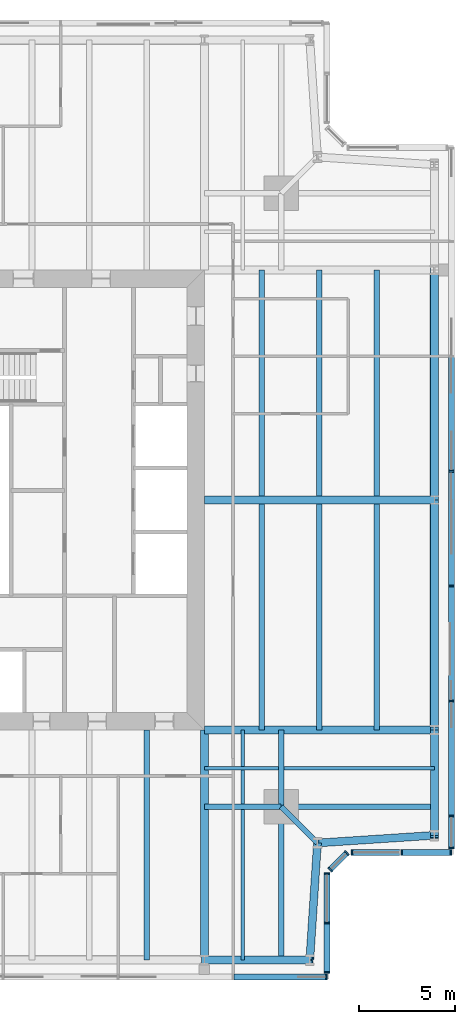
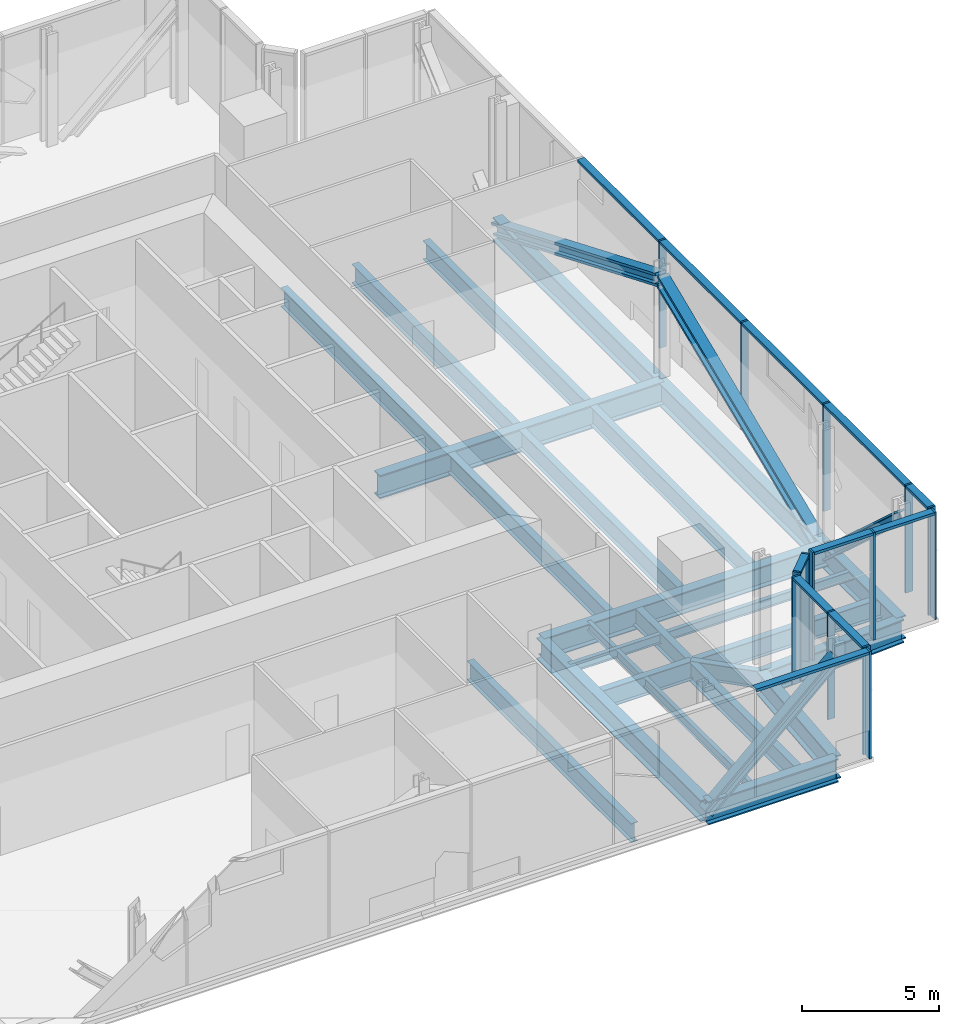
# One storey, part 3 of 15: 29 members, 26 beams, 5 elements without a shape of their own.
"""IFC4 building model written with IfcOpenShell, lengths in metres."""

from ifc_helpers import new_model, si_unit, direction, frame, origin, origin_2d, place, context, subcontext, project, spatial, rectangle, i_section, extrude, material, material_profile, profile_set, type_object, element, aggregate, save


model = new_model("IFC4")

# Units and contexts
model_context = context("Model", 3, precision=1e-05, world=origin(), true_north=direction((0.0, 1.0)))
body_context = subcontext(model_context, "Body", "Model", "MODEL_VIEW")
ifc_project = project(units=[si_unit("LENGTHUNIT", "METRE"), si_unit("AREAUNIT", "SQUARE_METRE"), si_unit("VOLUMEUNIT", "CUBIC_METRE"), si_unit("PLANEANGLEUNIT", "RADIAN"), si_unit("MASSUNIT", "GRAM", prefix="KILO")], contexts=[model_context])

# Site, building, storey
site_placement = place(None, origin())
site = spatial("IfcSite", under=ifc_project, at=site_placement, CompositionType="ELEMENT")
building_placement = place(site_placement, origin())
building = spatial("IfcBuilding", under=site, at=building_placement, Name="Fenwick Lantern Interchange", CompositionType="ELEMENT")
storey_placement = place(building_placement, frame((0.0, 0.0, 296.800048828125)))
storey = spatial("IfcBuildingStorey", under=building, at=storey_placement, Name="L72", CompositionType="ELEMENT", Elevation=296.800048828125)

# Beams
ifc_material_1 = material(Name="Steel ASTM A992 Grade 50", Category="steel")
ifc_material_profile_1 = material_profile(ifc_material_1, i_section(OverallWidth=0.408935546875, OverallDepth=1.04150390625, WebThickness=0.031005859375, FlangeThickness=0.055908203125, at=origin_2d()), Name="W40X397")
ifc_profile_set_1 = profile_set([ifc_material_profile_1], Name="Steel ASTM A992 Grade 50")
beam_type_1 = type_object("IfcBeamType", Name="EDGE BEAM W40X397", PredefinedType="SPANDREL", material=ifc_profile_set_1)
beam_1_placement = place(storey_placement, frame((37.0, 1.0, -0.720703125), z_axis=(1.0, 0.0, 0.0), x_axis=(0.0, 1.0, 0.0)))
element("IfcBeam", 1, at=beam_1_placement, inside=storey, type_object=beam_type_1, Name="L72/FR/S/EB4", PredefinedType="SPANDREL", context=body_context, shape_type="SweptSolid", body=[
    extrude(i_section(OverallWidth=0.408935546875, OverallDepth=1.04150390625, WebThickness=0.031005859375, FlangeThickness=0.055908203125, at=origin_2d()), origin(), (0.0, 0.0, 1.0), 5.5),
])
for number, where, z_axis, x_axis, name in (
    (2, (42.5, 1.0, -0.720703125), (0.065416293237, 0.997858060337, 0.0), (-0.997858060337, 0.065416293237, 0.0), "L72/FR/S/EBR1"),
    (3, (42.89990234375, 7.10009765625, -0.720703125), (0.997858060337, 0.065416293237, 0.0), (-0.065416293237, 0.997858060337, 0.0), "L72/FR/S/EBR2"),
):
    element("IfcBeam", number, at=place(storey_placement, frame(where, z_axis=z_axis, x_axis=x_axis)), inside=storey, type_object=beam_type_1, Name=name, PredefinedType="SPANDREL", context=body_context, shape_type="SweptSolid", body=[
        extrude(i_section(OverallWidth=0.408935546875, OverallDepth=1.04150390625, WebThickness=0.031005859375, FlangeThickness=0.055908203125, at=origin_2d()), origin(), (0.0, 0.0, 1.0), 6.11328125),
    ])
beam_2_placement = place(storey_placement, frame((49.0, 7.5, -0.720703125), z_axis=(0.0, 1.0, 0.0), x_axis=(-1.0, 0.0, 0.0)))
element("IfcBeam", 4, at=beam_2_placement, inside=storey, type_object=beam_type_1, Name="L72/FR/E/EB1", PredefinedType="SPANDREL", context=body_context, shape_type="SweptSolid", body=[
    extrude(i_section(OverallWidth=0.408935546875, OverallDepth=1.04150390625, WebThickness=0.031005859375, FlangeThickness=0.055908203125, at=origin_2d()), origin(), (0.0, 0.0, 1.0), 5.5),
])
for number, where, z_axis, x_axis, name in (
    (5, (49.0, 13.0, -0.720703125), (0.0, 1.0, 0.0), (-1.0, 0.0, 0.0), "L72/FR/E/EB2"),
    (6, (49.0, 25.0, -0.720703125), (0.0, 1.0, 0.0), (-1.0, 0.0, 0.0), "L72/FR/E/EB3"),
):
    element("IfcBeam", number, at=place(storey_placement, frame(where, z_axis=z_axis, x_axis=x_axis)), inside=storey, type_object=beam_type_1, Name=name, PredefinedType="SPANDREL", context=body_context, shape_type="SweptSolid", body=[
        extrude(i_section(OverallWidth=0.408935546875, OverallDepth=1.04150390625, WebThickness=0.031005859375, FlangeThickness=0.055908203125, at=origin_2d()), origin(), (0.0, 0.0, 1.0), 12.0),
    ])

# Members
ifc_material_profile_2 = material_profile(ifc_material_1, i_section(OverallWidth=0.424072265625, OverallDepth=0.47509765625, WebThickness=0.0478515625, FlangeThickness=0.0771484375, at=origin_2d()), Name="W14X426")
ifc_profile_set_2 = profile_set([ifc_material_profile_2], Name="Steel ASTM A992 Grade 50")
member_type_1 = type_object("IfcMemberType", Name="FACADE BRACE W14X426", PredefinedType="BRACE", material=ifc_profile_set_2)
for number, where, z_axis, x_axis, name in (
    (7, (37.0, 1.0, -0.720703125), (0.739940073396, 0.0, 0.672672793996), (0.0, 1.0, 0.0), "L72/FB/S/BE"),
    (8, (49.0, 13.0, -0.720703125), (0.0, -0.739940073396, 0.672672793996), (1.0, 0.0, 0.0), "L72/FB/E/AE"),
):
    element("IfcMember", number, at=place(storey_placement, frame(where, z_axis=z_axis, x_axis=x_axis)), inside=storey, type_object=member_type_1, Name=name, PredefinedType="BRACE", context=body_context, shape_type="SweptSolid", body=[
        extrude(i_section(OverallWidth=0.424072265625, OverallDepth=0.47509765625, WebThickness=0.0478515625, FlangeThickness=0.0771484375, at=origin_2d()), origin(), (0.0, 0.0, 1.0), 7.43310546875),
    ])
ifc_material_profile_3 = material_profile(ifc_material_1, i_section(OverallWidth=0.44189453125, OverallDepth=0.53076171875, WebThickness=0.06591796875, FlangeThickness=0.105712890625, at=origin_2d()), Name="W14X605")
ifc_profile_set_3 = profile_set([ifc_material_profile_3], Name="Steel ASTM A992 Grade 50")
member_type_2 = type_object("IfcMemberType", Name="FACADE BRACE W14X605", PredefinedType="BRACE", material=ifc_profile_set_3)
for number, where, z_axis, x_axis, name in (
    (9, (49.0, 13.0, -0.720703125), (0.0, 0.923076923077, 0.384615384615), (-1.0, 0.0, 0.0), "L72/FB/E/A"),
    (10, (49.0, 37.0, -0.720703125), (0.0, -0.923076923077, 0.384615384615), (1.0, 0.0, 0.0), "L72/FB/E/B"),
):
    element("IfcMember", number, at=place(storey_placement, frame(where, z_axis=z_axis, x_axis=x_axis)), inside=storey, type_object=member_type_2, Name=name, PredefinedType="BRACE", context=body_context, shape_type="SweptSolid", body=[
        extrude(i_section(OverallWidth=0.44189453125, OverallDepth=0.53076171875, WebThickness=0.06591796875, FlangeThickness=0.105712890625, at=origin_2d()), origin(), (0.0, 0.0, 1.0), 13.0),
    ])

# Beams
ifc_material_profile_4 = material_profile(ifc_material_1, i_section(OverallWidth=0.2919921875, OverallDepth=0.845703125, WebThickness=0.015380859375, FlangeThickness=0.0244140625, at=origin_2d()), Name="W33X141")
ifc_profile_set_4 = profile_set([ifc_material_profile_4], Name="Steel ASTM A992 Grade 50")
beam_type_2 = type_object("IfcBeamType", Name="FLOOR BEAM W33X141", PredefinedType="BEAM", material=ifc_profile_set_4)
beam_3_placement = place(storey_placement, frame((34.0, 1.0, -0.623046875), z_axis=(0.0, 1.0, 0.0), x_axis=(-1.0, 0.0, 0.0)))
element("IfcBeam", 11, at=beam_3_placement, inside=storey, type_object=beam_type_2, Name="L72/FR/S/R08", PredefinedType="BEAM", context=body_context, shape_type="SweptSolid", body=[
    extrude(i_section(OverallWidth=0.2919921875, OverallDepth=0.845703125, WebThickness=0.015380859375, FlangeThickness=0.0244140625, at=origin_2d()), origin(), (0.0, 0.0, 1.0), 12.0),
])
for number, where, z_axis, x_axis, name in (
    (12, (46.0, 13.0, -0.623046875), (0.0, 1.0, 0.0), (-1.0, 0.0, 0.0), "L72/FR/E/B01"),
    (13, (43.0, 13.0, -0.623046875), (0.0, 1.0, 0.0), (-1.0, 0.0, 0.0), "L72/FR/E/B02"),
    (14, (40.0, 13.0, -0.623046875), (0.0, 1.0, 0.0), (-1.0, 0.0, 0.0), "L72/FR/E/B03"),
    (15, (46.0, 25.20458984375, -0.623046875), (0.0, 1.0, 0.0), (-1.0, 0.0, 0.0), "L72/FR/E/B04"),
    (16, (43.0, 25.20458984375, -0.623046875), (0.0, 1.0, 0.0), (-1.0, 0.0, 0.0), "L72/FR/E/B05"),
    (17, (40.0, 25.20458984375, -0.623046875), (0.0, 1.0, 0.0), (-1.0, 0.0, 0.0), "L72/FR/E/B06"),
):
    element("IfcBeam", number, at=place(storey_placement, frame(where, z_axis=z_axis, x_axis=x_axis)), inside=storey, type_object=beam_type_2, Name=name, PredefinedType="BEAM", context=body_context, shape_type="SweptSolid", body=[
        extrude(i_section(OverallWidth=0.2919921875, OverallDepth=0.845703125, WebThickness=0.015380859375, FlangeThickness=0.0244140625, at=origin_2d()), origin(), (0.0, 0.0, 1.0), 11.79541015625),
    ])
ifc_material_profile_5 = material_profile(ifc_material_1, i_section(OverallWidth=0.177734375, OverallDepth=0.406494140625, WebThickness=0.0078125, FlangeThickness=0.012939453125, at=origin_2d()), Name="W16X40")
ifc_profile_set_5 = profile_set([ifc_material_profile_5], Name="Steel ASTM A992 Grade 50")
beam_type_3 = type_object("IfcBeamType", Name="INFILL BEAM W16X40", PredefinedType="JOIST", material=ifc_profile_set_5)
beam_4_placement = place(storey_placement, frame((49.0, 11.0, -0.4033203125), z_axis=(-1.0, 0.0, 0.0), x_axis=(0.0, -1.0, 0.0)))
element("IfcBeam", 18, at=beam_4_placement, inside=storey, type_object=beam_type_3, Name="L72/FR/E/J1", PredefinedType="JOIST", context=body_context, shape_type="SweptSolid", body=[
    extrude(i_section(OverallWidth=0.177734375, OverallDepth=0.406494140625, WebThickness=0.0078125, FlangeThickness=0.012939453125, at=origin_2d()), origin(), (0.0, 0.0, 1.0), 7.85400390625),
])
beam_5_placement = place(storey_placement, frame((40.85400390625, 11.0, -0.4033203125), z_axis=(-1.0, 0.0, 0.0), x_axis=(0.0, -1.0, 0.0)))
element("IfcBeam", 19, at=beam_5_placement, inside=storey, type_object=beam_type_3, Name="L72/FR/E/J2", PredefinedType="JOIST", context=body_context, shape_type="SweptSolid", body=[
    extrude(i_section(OverallWidth=0.177734375, OverallDepth=0.406494140625, WebThickness=0.0078125, FlangeThickness=0.012939453125, at=origin_2d()), origin(), (0.0, 0.0, 1.0), 3.85400390625),
])
beam_6_placement = place(storey_placement, frame((39.0, 1.0, -0.4033203125), z_axis=(0.0, 1.0, 0.0), x_axis=(-1.0, 0.0, 0.0)))
element("IfcBeam", 20, at=beam_6_placement, inside=storey, type_object=beam_type_3, Name="L72/FR/E/J3", PredefinedType="JOIST", context=body_context, shape_type="SweptSolid", body=[
    extrude(i_section(OverallWidth=0.177734375, OverallDepth=0.406494140625, WebThickness=0.0078125, FlangeThickness=0.012939453125, at=origin_2d()), origin(), (0.0, 0.0, 1.0), 7.85400390625),
])
beam_7_placement = place(storey_placement, frame((39.0, 9.14599609375, -0.4033203125), z_axis=(0.0, 1.0, 0.0), x_axis=(-1.0, 0.0, 0.0)))
element("IfcBeam", 21, at=beam_7_placement, inside=storey, type_object=beam_type_3, Name="L72/FR/E/J4", PredefinedType="JOIST", context=body_context, shape_type="SweptSolid", body=[
    extrude(i_section(OverallWidth=0.177734375, OverallDepth=0.406494140625, WebThickness=0.0078125, FlangeThickness=0.012939453125, at=origin_2d()), origin(), (0.0, 0.0, 1.0), 1.76513671875),
])
beam_8_placement = place(storey_placement, frame((39.0, 11.0888671875, -0.4033203125), z_axis=(0.0, 1.0, 0.0), x_axis=(-1.0, 0.0, 0.0)))
element("IfcBeam", 22, at=beam_8_placement, inside=storey, type_object=beam_type_3, Name="L72/FR/E/J5", PredefinedType="JOIST", context=body_context, shape_type="SweptSolid", body=[
    extrude(i_section(OverallWidth=0.177734375, OverallDepth=0.406494140625, WebThickness=0.0078125, FlangeThickness=0.012939453125, at=origin_2d()), origin(), (0.0, 0.0, 1.0), 1.9111328125),
])
ifc_material_profile_6 = material_profile(ifc_material_1, i_section(OverallWidth=0.2919921875, OverallDepth=0.845703125, WebThickness=0.015380859375, FlangeThickness=0.0244140625, at=origin_2d()), Name="W33X141")
ifc_profile_set_6 = profile_set([ifc_material_profile_6], Name="Steel ASTM A992 Grade 50")
beam_type_4 = type_object("IfcBeamType", Name="MEGA COLUMN BEAM W33X141", PredefinedType="BEAM", material=ifc_profile_set_6)
for number, where, z_axis, x_axis, name in (
    (23, (41.0, 9.0, -0.623046875), (1.0, 0.0, 0.0), (0.0, 1.0, 0.0), "L72/FR/E/MB1"),
    (24, (41.0, 9.0, -0.623046875), (0.0, -1.0, 0.0), (1.0, 0.0, 0.0), "L72/FR/E/MB2"),
):
    element("IfcBeam", number, at=place(storey_placement, frame(where, z_axis=z_axis, x_axis=x_axis)), inside=storey, type_object=beam_type_4, Name=name, PredefinedType="BEAM", context=body_context, shape_type="SweptSolid", body=[
        extrude(i_section(OverallWidth=0.2919921875, OverallDepth=0.845703125, WebThickness=0.015380859375, FlangeThickness=0.0244140625, at=origin_2d()), origin(), (0.0, 0.0, 1.0), 8.0),
    ])
for number, where, z_axis, x_axis, name in (
    (25, (41.0, 9.0, -0.623046875), (0.0, 1.0, 0.0), (-1.0, 0.0, 0.0), "L72/FR/E/MB3"),
    (26, (41.0, 9.0, -0.623046875), (-1.0, 0.0, 0.0), (0.0, -1.0, 0.0), "L72/FR/E/MB4"),
):
    element("IfcBeam", number, at=place(storey_placement, frame(where, z_axis=z_axis, x_axis=x_axis)), inside=storey, type_object=beam_type_4, Name=name, PredefinedType="BEAM", context=body_context, shape_type="SweptSolid", body=[
        extrude(i_section(OverallWidth=0.2919921875, OverallDepth=0.845703125, WebThickness=0.015380859375, FlangeThickness=0.0244140625, at=origin_2d()), origin(), (0.0, 0.0, 1.0), 4.0),
    ])
ifc_material_profile_7 = material_profile(ifc_material_1, i_section(OverallWidth=0.424072265625, OverallDepth=0.947509765625, WebThickness=0.02392578125, FlangeThickness=0.042724609375, at=origin_2d()), Name="W36X302")
ifc_profile_set_7 = profile_set([ifc_material_profile_7], Name="Steel ASTM A992 Grade 50")
beam_type_5 = type_object("IfcBeamType", Name="MOMENT-CONNECTED GIRDER W36X302", PredefinedType="BEAM", material=ifc_profile_set_7)
for number, where, z_axis, x_axis, name in (
    (27, (37.0, 1.0, -0.673828125), (0.0, 1.0, 0.0), (-1.0, 0.0, 0.0), "L72/FR/S/R09"),
    (28, (49.0, 13.0, -0.673828125), (-1.0, 0.0, 0.0), (0.0, -1.0, 0.0), "L72/FR/E/R01"),
):
    element("IfcBeam", number, at=place(storey_placement, frame(where, z_axis=z_axis, x_axis=x_axis)), inside=storey, type_object=beam_type_5, Name=name, PredefinedType="BEAM", context=body_context, shape_type="SweptSolid", body=[
        extrude(i_section(OverallWidth=0.424072265625, OverallDepth=0.947509765625, WebThickness=0.02392578125, FlangeThickness=0.042724609375, at=origin_2d()), origin(), (0.0, 0.0, 1.0), 12.0),
    ])
ifc_material_profile_8 = material_profile(ifc_material_1, i_section(OverallWidth=0.408935546875, OverallDepth=1.04150390625, WebThickness=0.031005859375, FlangeThickness=0.055908203125, at=origin_2d()), Name="W40X397")
ifc_profile_set_8 = profile_set([ifc_material_profile_8], Name="Steel ASTM A992 Grade 50")
beam_type_6 = type_object("IfcBeamType", Name="MOMENT-CONNECTED GIRDER W40X397", PredefinedType="BEAM", material=ifc_profile_set_8)
beam_9_placement = place(storey_placement, frame((49.0, 25.0, -0.720703125), z_axis=(-1.0, 0.0, 0.0), x_axis=(0.0, -1.0, 0.0)))
element("IfcBeam", 29, at=beam_9_placement, inside=storey, type_object=beam_type_6, Name="L72/FR/E/R02", PredefinedType="BEAM", context=body_context, shape_type="SweptSolid", body=[
    extrude(i_section(OverallWidth=0.408935546875, OverallDepth=1.04150390625, WebThickness=0.031005859375, FlangeThickness=0.055908203125, at=origin_2d()), origin(), (0.0, 0.0, 1.0), 12.0),
])
ifc_material_profile_9 = material_profile(ifc_material_1, i_section(OverallWidth=0.2666015625, OverallDepth=0.7568359375, WebThickness=0.013916015625, FlangeThickness=0.019287109375, at=origin_2d()), Name="W30X108")
ifc_profile_set_9 = profile_set([ifc_material_profile_9], Name="Steel ASTM A992 Grade 50")
beam_type_7 = type_object("IfcBeamType", Name="NOTCH BEAM W30X108", PredefinedType="BEAM", material=ifc_profile_set_9)
beam_10_placement = place(storey_placement, frame((41.0, 9.0, -0.57861328125), z_axis=(0.707106781187, -0.707106781187, 0.0), x_axis=(0.707106781187, 0.707106781187, 0.0)))
element("IfcBeam", 30, at=beam_10_placement, inside=storey, type_object=beam_type_7, Name="L72/FR/E/TG", PredefinedType="BEAM", context=body_context, shape_type="SweptSolid", body=[
    extrude(i_section(OverallWidth=0.2666015625, OverallDepth=0.7568359375, WebThickness=0.013916015625, FlangeThickness=0.019287109375, at=origin_2d()), origin(), (0.0, 0.0, 1.0), 2.686767578125),
])

# Curtain wall, member
ifc_material_2 = material(Name="Aluminium curtain wall frame", Category="aluminium")
curtain_wall_type = type_object("IfcCurtainWallType", Name="SKY LOBBY GLAZING", PredefinedType="USERDEFINED", material=ifc_material_2)
curtain_wall_1_placement = place(storey_placement, origin())
curtain_wall_1 = element("IfcCurtainWall", 31, at=curtain_wall_1_placement, inside=storey, type_object=curtain_wall_type, Name="Sky lobby glazing 01", ObjectType="SKY LOBBY GLAZING", PredefinedType="USERDEFINED")
ifc_material_3 = material(Name="Aluminium extrusion", Category="aluminium")
ifc_material_profile_10 = material_profile(ifc_material_3, rectangle(XDim=0.300048828125, YDim=0.080078125, at=origin_2d()), Name="SKY LOBBY GLAZING MULLION 80 X 300")
ifc_profile_set_10 = profile_set([ifc_material_profile_10], Name="Aluminium extrusion")
member_type_3 = type_object("IfcMemberType", Name="SKY LOBBY GLAZING MULLION 80 X 300", PredefinedType="MULLION", material=ifc_profile_set_10)
member_1_placement = place(storey_placement, frame((43.360107421875, 0.10009765625, 0.0), z_axis=(0.0, 0.0, 1.0), x_axis=(0.0, 1.0, 0.0)))
member_1 = element("IfcMember", 32, at=member_1_placement, type_object=member_type_3, Name="L72/CW/01/M07", PredefinedType="MULLION", context=body_context, shape_type="SweptSolid", body=[
    extrude(rectangle(XDim=0.300048828125, YDim=0.080078125, at=origin_2d()), origin(), (0.0, 0.0, 1.0), 4.800048828125),
])

# Curtain wall, members
curtain_wall_2_placement = place(storey_placement, origin())
curtain_wall_2 = element("IfcCurtainWall", 33, at=curtain_wall_2_placement, inside=storey, type_object=curtain_wall_type, Name="Sky lobby glazing 02", ObjectType="SKY LOBBY GLAZING", PredefinedType="USERDEFINED")
member_2_placement = place(storey_placement, frame((43.39990234375, 0.340087890625, 0.0), z_axis=(0.0, 0.0, 1.0), x_axis=(-1.0, 0.0, 0.0)))
member_2 = element("IfcMember", 34, at=member_2_placement, type_object=member_type_3, Name="L72/CW/02/M00", PredefinedType="MULLION", context=body_context, shape_type="SweptSolid", body=[
    extrude(rectangle(XDim=0.300048828125, YDim=0.080078125, at=origin_2d()), origin(), (0.0, 0.0, 1.0), 4.800048828125),
])
member_3_placement = place(storey_placement, frame((43.39990234375, 2.920654296875, 0.0), z_axis=(0.0, 0.0, 1.0), x_axis=(-1.0, 0.0, 0.0)))
member_3 = element("IfcMember", 35, at=member_3_placement, type_object=member_type_3, Name="L72/CW/02/M01", PredefinedType="MULLION", context=body_context, shape_type="SweptSolid", body=[
    extrude(rectangle(XDim=0.300048828125, YDim=0.080078125, at=origin_2d()), origin(), (0.0, 0.0, 1.0), 4.800048828125),
])
member_4_placement = place(storey_placement, frame((43.39990234375, 5.50146484375, 0.0), z_axis=(0.0, 0.0, 1.0), x_axis=(-1.0, 0.0, 0.0)))
member_4 = element("IfcMember", 36, at=member_4_placement, type_object=member_type_3, Name="L72/CW/02/M02", PredefinedType="MULLION", context=body_context, shape_type="SweptSolid", body=[
    extrude(rectangle(XDim=0.300048828125, YDim=0.080078125, at=origin_2d()), origin(), (0.0, 0.0, 1.0), 4.800048828125),
])

curtain_wall_3_placement = place(storey_placement, origin())
curtain_wall_3 = element("IfcCurtainWall", 37, at=curtain_wall_3_placement, inside=storey, type_object=curtain_wall_type, Name="Sky lobby glazing 03", ObjectType="SKY LOBBY GLAZING", PredefinedType="USERDEFINED")
member_5_placement = place(storey_placement, frame((43.56982421875, 5.711181640625, 0.0), z_axis=(0.0, 0.0, 1.0), x_axis=(-0.707106781187, 0.707106781187, 0.0)))
member_5 = element("IfcMember", 38, at=member_5_placement, type_object=member_type_3, Name="L72/CW/03/M00", PredefinedType="MULLION", context=body_context, shape_type="SweptSolid", body=[
    extrude(rectangle(XDim=0.300048828125, YDim=0.080078125, at=origin_2d()), origin(), (0.0, 0.0, 1.0), 4.800048828125),
])
member_6_placement = place(storey_placement, frame((44.43017578125, 6.57177734375, 0.0), z_axis=(0.0, 0.0, 1.0), x_axis=(-0.707106781187, 0.707106781187, 0.0)))
member_6 = element("IfcMember", 39, at=member_6_placement, type_object=member_type_3, Name="L72/CW/03/M01", PredefinedType="MULLION", context=body_context, shape_type="SweptSolid", body=[
    extrude(rectangle(XDim=0.300048828125, YDim=0.080078125, at=origin_2d()), origin(), (0.0, 0.0, 1.0), 4.800048828125),
])

curtain_wall_4_placement = place(storey_placement, origin())
curtain_wall_4 = element("IfcCurtainWall", 40, at=curtain_wall_4_placement, inside=storey, type_object=curtain_wall_type, Name="Sky lobby glazing 04", ObjectType="SKY LOBBY GLAZING", PredefinedType="USERDEFINED")
member_7_placement = place(storey_placement, frame((44.698486328125, 6.60009765625, 0.0), z_axis=(0.0, 0.0, 1.0), x_axis=(0.0, 1.0, 0.0)))
member_7 = element("IfcMember", 41, at=member_7_placement, type_object=member_type_3, Name="L72/CW/04/M00", PredefinedType="MULLION", context=body_context, shape_type="SweptSolid", body=[
    extrude(rectangle(XDim=0.300048828125, YDim=0.080078125, at=origin_2d()), origin(), (0.0, 0.0, 1.0), 4.800048828125),
])
member_8_placement = place(storey_placement, frame((47.279296875, 6.60009765625, 0.0), z_axis=(0.0, 0.0, 1.0), x_axis=(0.0, 1.0, 0.0)))
member_8 = element("IfcMember", 42, at=member_8_placement, type_object=member_type_3, Name="L72/CW/04/M01", PredefinedType="MULLION", context=body_context, shape_type="SweptSolid", body=[
    extrude(rectangle(XDim=0.300048828125, YDim=0.080078125, at=origin_2d()), origin(), (0.0, 0.0, 1.0), 4.800048828125),
])
member_9_placement = place(storey_placement, frame((49.860107421875, 6.60009765625, 0.0), z_axis=(0.0, 0.0, 1.0), x_axis=(0.0, 1.0, 0.0)))
member_9 = element("IfcMember", 43, at=member_9_placement, type_object=member_type_3, Name="L72/CW/04/M02", PredefinedType="MULLION", context=body_context, shape_type="SweptSolid", body=[
    extrude(rectangle(XDim=0.300048828125, YDim=0.080078125, at=origin_2d()), origin(), (0.0, 0.0, 1.0), 4.800048828125),
])

curtain_wall_5_placement = place(storey_placement, origin())
curtain_wall_5 = element("IfcCurtainWall", 44, at=curtain_wall_5_placement, inside=storey, type_object=curtain_wall_type, Name="Sky lobby glazing 05", ObjectType="SKY LOBBY GLAZING", PredefinedType="USERDEFINED")
member_10_placement = place(storey_placement, frame((49.89990234375, 6.840087890625, 0.0), z_axis=(0.0, 0.0, 1.0), x_axis=(-1.0, 0.0, 0.0)))
member_10 = element("IfcMember", 45, at=member_10_placement, type_object=member_type_3, Name="L72/CW/05/M00", PredefinedType="MULLION", context=body_context, shape_type="SweptSolid", body=[
    extrude(rectangle(XDim=0.300048828125, YDim=0.080078125, at=origin_2d()), origin(), (0.0, 0.0, 1.0), 4.800048828125),
])
member_11_placement = place(storey_placement, frame((49.89990234375, 8.5, 0.0), z_axis=(0.0, 0.0, 1.0), x_axis=(-1.0, 0.0, 0.0)))
member_11 = element("IfcMember", 46, at=member_11_placement, type_object=member_type_3, Name="L72/CW/05/M01", PredefinedType="MULLION", context=body_context, shape_type="SweptSolid", body=[
    extrude(rectangle(XDim=0.300048828125, YDim=0.080078125, at=origin_2d()), origin(), (0.0, 0.0, 1.0), 4.800048828125),
])
member_12_placement = place(storey_placement, frame((49.89990234375, 14.5, 0.0), z_axis=(0.0, 0.0, 1.0), x_axis=(-1.0, 0.0, 0.0)))
member_12 = element("IfcMember", 47, at=member_12_placement, type_object=member_type_3, Name="L72/CW/05/M02", PredefinedType="MULLION", context=body_context, shape_type="SweptSolid", body=[
    extrude(rectangle(XDim=0.300048828125, YDim=0.080078125, at=origin_2d()), origin(), (0.0, 0.0, 1.0), 4.800048828125),
])
member_13_placement = place(storey_placement, frame((49.89990234375, 20.5, 0.0), z_axis=(0.0, 0.0, 1.0), x_axis=(-1.0, 0.0, 0.0)))
member_13 = element("IfcMember", 48, at=member_13_placement, type_object=member_type_3, Name="L72/CW/05/M03", PredefinedType="MULLION", context=body_context, shape_type="SweptSolid", body=[
    extrude(rectangle(XDim=0.300048828125, YDim=0.080078125, at=origin_2d()), origin(), (0.0, 0.0, 1.0), 4.800048828125),
])
member_14_placement = place(storey_placement, frame((49.89990234375, 26.5, 0.0), z_axis=(0.0, 0.0, 1.0), x_axis=(-1.0, 0.0, 0.0)))
member_14 = element("IfcMember", 49, at=member_14_placement, type_object=member_type_3, Name="L72/CW/05/M04", PredefinedType="MULLION", context=body_context, shape_type="SweptSolid", body=[
    extrude(rectangle(XDim=0.300048828125, YDim=0.080078125, at=origin_2d()), origin(), (0.0, 0.0, 1.0), 4.800048828125),
])

# Member
ifc_material_profile_11 = material_profile(ifc_material_3, rectangle(XDim=0.300048828125, YDim=0.1201171875, at=origin_2d()), Name="SKY LOBBY GLAZING TRANSOM 120 X 300")
ifc_profile_set_11 = profile_set([ifc_material_profile_11], Name="Aluminium extrusion")
member_type_4 = type_object("IfcMemberType", Name="SKY LOBBY GLAZING TRANSOM 120 X 300", PredefinedType="MULLION", material=ifc_profile_set_11)
member_15_placement = place(storey_placement, frame((38.5400390625, 0.10009765625, 4.739990234375), z_axis=(1.0, 0.0, 0.0), x_axis=(0.0, 1.0, 0.0)))
member_15 = element("IfcMember", 50, at=member_15_placement, type_object=member_type_4, Name="L72/CW/01/T06", PredefinedType="MULLION", context=body_context, shape_type="SweptSolid", body=[
    extrude(rectangle(XDim=0.300048828125, YDim=0.1201171875, at=origin_2d()), origin(), (0.0, 0.0, 1.0), 4.780029296875),
])

aggregate(curtain_wall_1, [member_1, member_15])

member_16_placement = place(storey_placement, frame((43.39990234375, 0.3798828125, 4.739990234375), z_axis=(0.0, 1.0, 0.0), x_axis=(-1.0, 0.0, 0.0)))
member_16 = element("IfcMember", 51, at=member_16_placement, type_object=member_type_4, Name="L72/CW/02/T00", PredefinedType="MULLION", context=body_context, shape_type="SweptSolid", body=[
    extrude(rectangle(XDim=0.300048828125, YDim=0.1201171875, at=origin_2d()), origin(), (0.0, 0.0, 1.0), 2.500732421875),
])

member_17_placement = place(storey_placement, frame((43.39990234375, 2.960693359375, 4.739990234375), z_axis=(0.0, 1.0, 0.0), x_axis=(-1.0, 0.0, 0.0)))
member_17 = element("IfcMember", 52, at=member_17_placement, type_object=member_type_4, Name="L72/CW/02/T01", PredefinedType="MULLION", context=body_context, shape_type="SweptSolid", body=[
    extrude(rectangle(XDim=0.300048828125, YDim=0.1201171875, at=origin_2d()), origin(), (0.0, 0.0, 1.0), 2.500732421875),
])

aggregate(curtain_wall_2, [member_2, member_3, member_4, member_16, member_17])

member_18_placement = place(storey_placement, frame((43.597900390625, 5.739501953125, 4.739990234375), z_axis=(0.707214121873, 0.706999424203, 0.0), x_axis=(-0.706999424203, 0.707214121873, 0.0)))
member_18 = element("IfcMember", 53, at=member_18_placement, type_object=member_type_4, Name="L72/CW/03/T00", PredefinedType="MULLION", context=body_context, shape_type="SweptSolid", body=[
    extrude(rectangle(XDim=0.300048828125, YDim=0.1201171875, at=origin_2d()), origin(), (0.0, 0.0, 1.0), 1.13720703125),
])

aggregate(curtain_wall_3, [member_5, member_6, member_18])

member_19_placement = place(storey_placement, frame((44.738525390625, 6.60009765625, 4.739990234375), z_axis=(1.0, 0.0, 0.0), x_axis=(0.0, 1.0, 0.0)))
member_19 = element("IfcMember", 54, at=member_19_placement, type_object=member_type_4, Name="L72/CW/04/T00", PredefinedType="MULLION", context=body_context, shape_type="SweptSolid", body=[
    extrude(rectangle(XDim=0.300048828125, YDim=0.1201171875, at=origin_2d()), origin(), (0.0, 0.0, 1.0), 2.500732421875),
])

member_20_placement = place(storey_placement, frame((47.3193359375, 6.60009765625, 4.739990234375), z_axis=(1.0, 0.0, 0.0), x_axis=(0.0, 1.0, 0.0)))
member_20 = element("IfcMember", 55, at=member_20_placement, type_object=member_type_4, Name="L72/CW/04/T01", PredefinedType="MULLION", context=body_context, shape_type="SweptSolid", body=[
    extrude(rectangle(XDim=0.300048828125, YDim=0.1201171875, at=origin_2d()), origin(), (0.0, 0.0, 1.0), 2.500732421875),
])

aggregate(curtain_wall_4, [member_7, member_8, member_9, member_19, member_20])

member_21_placement = place(storey_placement, frame((49.89990234375, 6.8798828125, 4.739990234375), z_axis=(0.0, 1.0, 0.0), x_axis=(-1.0, 0.0, 0.0)))
member_21 = element("IfcMember", 56, at=member_21_placement, type_object=member_type_4, Name="L72/CW/05/T00", PredefinedType="MULLION", context=body_context, shape_type="SweptSolid", body=[
    extrude(rectangle(XDim=0.300048828125, YDim=0.1201171875, at=origin_2d()), origin(), (0.0, 0.0, 1.0), 1.580078125),
])

member_22_placement = place(storey_placement, frame((49.89990234375, 8.5400390625, 4.739990234375), z_axis=(0.0, 1.0, 0.0), x_axis=(-1.0, 0.0, 0.0)))
member_22 = element("IfcMember", 57, at=member_22_placement, type_object=member_type_4, Name="L72/CW/05/T01", PredefinedType="MULLION", context=body_context, shape_type="SweptSolid", body=[
    extrude(rectangle(XDim=0.300048828125, YDim=0.1201171875, at=origin_2d()), origin(), (0.0, 0.0, 1.0), 5.919921875),
])

member_23_placement = place(storey_placement, frame((49.89990234375, 14.5400390625, 4.739990234375), z_axis=(0.0, 1.0, 0.0), x_axis=(-1.0, 0.0, 0.0)))
member_23 = element("IfcMember", 58, at=member_23_placement, type_object=member_type_4, Name="L72/CW/05/T02", PredefinedType="MULLION", context=body_context, shape_type="SweptSolid", body=[
    extrude(rectangle(XDim=0.300048828125, YDim=0.1201171875, at=origin_2d()), origin(), (0.0, 0.0, 1.0), 5.919921875),
])

member_24_placement = place(storey_placement, frame((49.89990234375, 20.5400390625, 4.739990234375), z_axis=(0.0, 1.0, 0.0), x_axis=(-1.0, 0.0, 0.0)))
member_24 = element("IfcMember", 59, at=member_24_placement, type_object=member_type_4, Name="L72/CW/05/T03", PredefinedType="MULLION", context=body_context, shape_type="SweptSolid", body=[
    extrude(rectangle(XDim=0.300048828125, YDim=0.1201171875, at=origin_2d()), origin(), (0.0, 0.0, 1.0), 5.919921875),
])

member_25_placement = place(storey_placement, frame((49.89990234375, 26.5400390625, 4.739990234375), z_axis=(0.0, 1.0, 0.0), x_axis=(-1.0, 0.0, 0.0)))
member_25 = element("IfcMember", 60, at=member_25_placement, type_object=member_type_4, Name="L72/CW/05/T04", PredefinedType="MULLION", context=body_context, shape_type="SweptSolid", body=[
    extrude(rectangle(XDim=0.300048828125, YDim=0.1201171875, at=origin_2d()), origin(), (0.0, 0.0, 1.0), 5.919921875),
])

aggregate(curtain_wall_5, [member_10, member_11, member_12, member_13, member_14, member_21, member_22, member_23, member_24, member_25])

save(model, "model.ifc")
